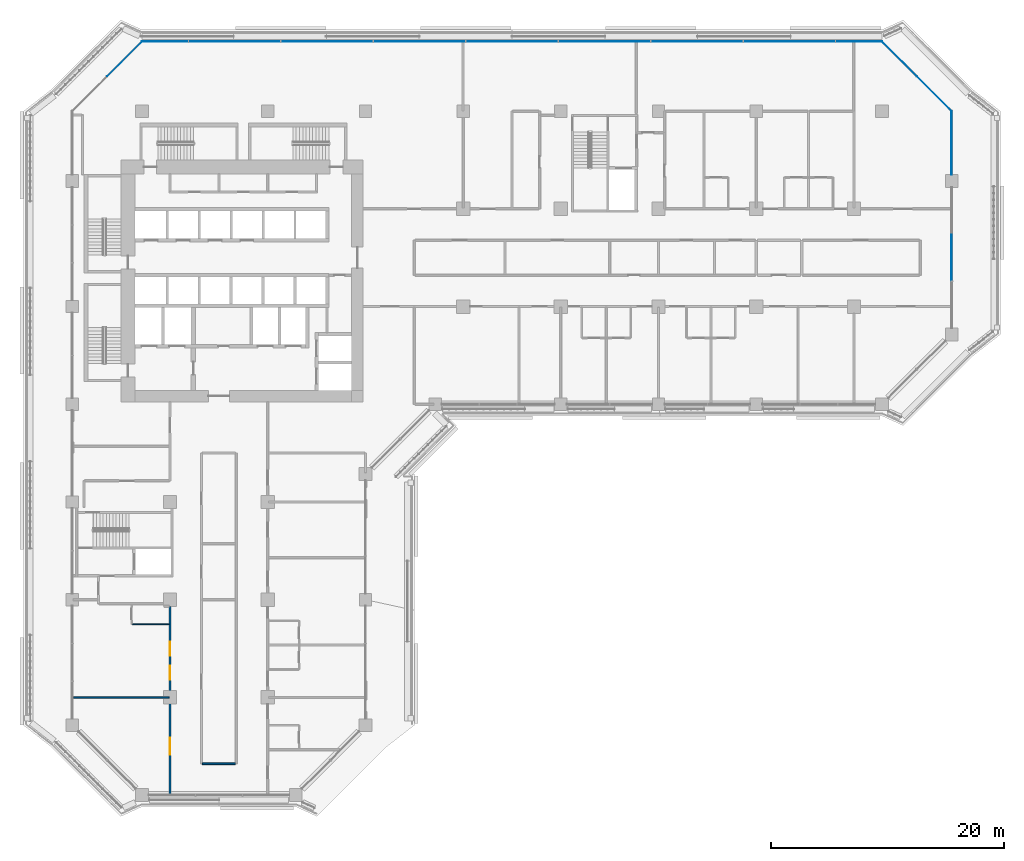
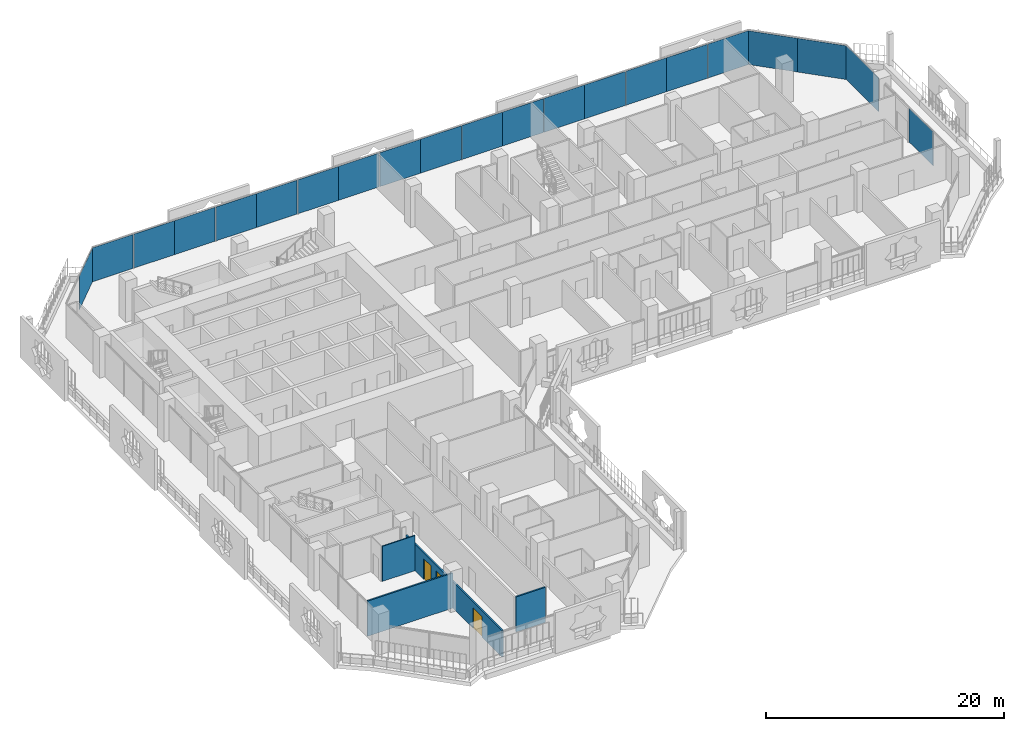
# One storey, part 11 of 25: 21 plates, 4 walls, 3 doors, 3 openings, 4 elements without a shape of their own.
"""IFC4 building model written with IfcOpenShell, lengths in metres."""

import ifcopenshell
import ifcopenshell.guid

model = None  # the IFC model being written
_history = None  # IfcOwnerHistory: only IFC2X3 demands one
_inside = {}  # id of a spatial element -> (the spatial element, [elements in it])
_under = {}  # id of a project, library or spatial element -> (it, [spatial elements below it])
_declared = {}  # id of a project -> (the project, [libraries it declares])
_typed = {}  # id of a type object -> (the type object, [elements of that type])
_made_of = {}  # id of a material, layer set ... -> (it, [elements and type objects made of it])


def new_model(schema):
    """Start an empty IFC model of exactly this schema.

    Asked for "IFC4X3", IfcOpenShell would pick the latest addendum, in which some entities
    have other attributes; the version numbers below select the first issue.
    IFC2X3 requires an IfcOwnerHistory on every rooted entity: one is made here for all.
    """
    global model, _history
    if schema == "IFC4X3":
        model = ifcopenshell.file(schema_version=(4, 3, 0, 0))
    else:
        model = ifcopenshell.file(schema=schema)
    _inside.clear()
    _under.clear()
    _declared.clear()
    _typed.clear()
    _made_of.clear()
    _history = None
    if model.schema == "IFC2X3":
        org = make("IfcOrganization", Name="unknown")
        user = make(
            "IfcPersonAndOrganization",
            ThePerson=make("IfcPerson", FamilyName="unknown"),
            TheOrganization=org,
        )
        app = make(
            "IfcApplication",
            ApplicationDeveloper=org,
            Version="unknown",
            ApplicationFullName="unknown",
            ApplicationIdentifier="unknown",
        )
        _history = make(
            "IfcOwnerHistory",
            OwningUser=user,
            OwningApplication=app,
            ChangeAction="ADDED",
            CreationDate=0,
        )
    return model


def make(cls, **values):
    """One entity of the class cls with the attributes given. An attribute that is None is left unset."""
    return model.create_entity(
        cls, **{name: value for name, value in values.items() if value is not None}
    )


def rooted(cls, **values):
    """An entity with a GlobalId (a new one), such as an element, a storey or a relation."""
    return make(cls, GlobalId=ifcopenshell.guid.new(), OwnerHistory=_history, **values)


def si_unit(unit_type, name, prefix=None):
    """IfcSIUnit, for example si_unit("LENGTHUNIT", "METRE", prefix="MILLI")."""
    return make("IfcSIUnit", UnitType=unit_type, Prefix=prefix, Name=name)


def assignment(units):
    """IfcUnitAssignment: the units of a project."""
    return None if units is None else make("IfcUnitAssignment", Units=units)


def point(xyz):
    """IfcCartesianPoint."""
    return None if xyz is None else make("IfcCartesianPoint", Coordinates=xyz)


def direction(xyz):
    """IfcDirection."""
    return None if xyz is None else make("IfcDirection", DirectionRatios=xyz)


def frame(location, z_axis=None, x_axis=None):
    """IfcAxis2Placement3D, a coordinate frame: its origin and axes. An axis left out is left unset."""
    return make(
        "IfcAxis2Placement3D",
        Location=point(location),
        Axis=direction(z_axis),
        RefDirection=direction(x_axis),
    )


def frame_2d(location, x_axis=None):
    """IfcAxis2Placement2D, a coordinate frame in the plane: its origin and x axis."""
    return make(
        "IfcAxis2Placement2D", Location=point(location), RefDirection=direction(x_axis)
    )


def origin():
    """The frame at (0, 0, 0) with its axes left unset."""
    return frame((0.0, 0.0, 0.0))


def origin_2d():
    """The frame at (0, 0) in the plane with its x axis left unset."""
    return frame_2d((0.0, 0.0))


def place(relative_to, where):
    """IfcLocalPlacement: puts the frame where relative to a parent placement (None: the world)."""
    return make(
        "IfcLocalPlacement", PlacementRelTo=relative_to, RelativePlacement=where
    )


def context(
    kind, dimensions, precision=None, world=None, true_north=None, identifier=None
):
    """IfcGeometricRepresentationContext, for example the 3D "Model" context."""
    return make(
        "IfcGeometricRepresentationContext",
        ContextIdentifier=identifier,
        ContextType=kind,
        CoordinateSpaceDimension=dimensions,
        Precision=precision,
        WorldCoordinateSystem=world,
        TrueNorth=true_north,
    )


def subcontext(parent, identifier, kind, view, scale=None):
    """IfcGeometricRepresentationSubContext, for example "Body" below "Model"."""
    return make(
        "IfcGeometricRepresentationSubContext",
        ContextIdentifier=identifier,
        ContextType=kind,
        ParentContext=parent,
        TargetScale=scale,
        TargetView=view,
    )


def project(units=None, contexts=None):
    """IfcProject with its units and contexts."""
    return rooted(
        "IfcProject",
        Name="project",
        RepresentationContexts=contexts,
        UnitsInContext=assignment(units),
    )


def spatial(cls, under=None, at=None, **own):
    """A site, building, storey or space (cls), placed at a placement, below another one or the project."""
    s = rooted(cls, ObjectPlacement=at, **own)
    if under is not None:
        _under.setdefault(under.id(), (under, []))[1].append(s)
    return s


def profile(cls, at=None, kind="AREA", **sizes):
    """A parametric profile (cls). Its sizes go by their IFC names, for example OverallWidth=200.0."""
    return make(cls, ProfileType=kind, Position=at, **sizes)


def rectangle(**sizes):
    """IfcRectangleProfileDef."""
    return profile("IfcRectangleProfileDef", **sizes)


def extrude(swept, where, along, depth):
    """IfcExtrudedAreaSolid: the profile swept, set in the frame where, extruded along a direction by depth."""
    return make(
        "IfcExtrudedAreaSolid",
        SweptArea=swept,
        Position=where,
        ExtrudedDirection=direction(along),
        Depth=depth,
    )


def shape(context_of_items, identifier, shape_type, items):
    """IfcShapeRepresentation: the items that make up one representation, for example the "Body"."""
    return make(
        "IfcShapeRepresentation",
        ContextOfItems=context_of_items,
        RepresentationIdentifier=identifier,
        RepresentationType=shape_type,
        Items=items,
    )


def material(Name=None, Category=None):
    """IfcMaterial."""
    return make("IfcMaterial", Name=Name, Category=Category)


def layer(
    of_material, thickness, ventilated=None, Name=None, Category=None, Priority=None
):
    """IfcMaterialLayer: one layer of a wall or slab, of a material (None: an air gap)."""
    return make(
        "IfcMaterialLayer",
        Material=of_material,
        LayerThickness=thickness,
        IsVentilated=ventilated,
        Name=Name,
        Category=Category,
        Priority=Priority,
    )


def layer_set(layers, Name=None):
    """IfcMaterialLayerSet."""
    return make("IfcMaterialLayerSet", MaterialLayers=layers, LayerSetName=Name)


def made_of(thing, what):
    """Note that an element or type object is made of a material, layer set ...; save() writes the relation."""
    if what is not None:
        _made_of.setdefault(what.id(), (what, []))[1].append(thing)
    return thing


def type_object(cls, material=None, **own):
    """A type object (cls), such as IfcWallType, which elements share."""
    return made_of(rooted(cls, **own), material)


def element(
    cls,
    number,
    at=None,
    inside=None,
    cuts=None,
    type_object=None,
    material=None,
    context=None,
    identifier="Body",
    shape_type=None,
    held_by="IfcProductDefinitionShape",
    body=None,
    shapes=None,
    **own,
):
    """One element of the class cls, such as IfcWall. Its Tag is "e" and its number.

    at: its placement. inside: the storey or other place that contains it. cuts: it is an
    opening in that element (IfcRelVoidsElement). A single representation is given by context,
    identifier, shape_type and body (its items); several are given by shapes. held_by: the class
    of the entity that holds the representations. save() writes the other relations.
    """
    e = rooted(cls, Tag="e%d" % number, ObjectPlacement=at, **own)
    if body is not None:
        shapes = [shape(context, identifier, shape_type, body)]
    if shapes is not None:
        e.Representation = make(held_by, Representations=shapes)
    if inside is not None:
        _inside.setdefault(inside.id(), (inside, []))[1].append(e)
    if cuts is not None:
        rooted(
            "IfcRelVoidsElement", RelatingBuildingElement=cuts, RelatedOpeningElement=e
        )
    if type_object is not None:
        _typed.setdefault(type_object.id(), (type_object, []))[1].append(e)
    return made_of(e, material)


def fill(opening, filler):
    """IfcRelFillsElement: the door or window that sits in an opening."""
    return rooted(
        "IfcRelFillsElement",
        RelatingOpeningElement=opening,
        RelatedBuildingElement=filler,
    )


def aggregate(whole, parts):
    """IfcRelAggregates: a whole, such as a stair, and the parts it consists of."""
    return rooted("IfcRelAggregates", RelatingObject=whole, RelatedObjects=parts)


def save(model, path):
    """Write the relations noted so far, then the file.

    IfcRelAggregates (storeys below a building ...), IfcRelContainedInSpatialStructure (elements
    in a storey), IfcRelDefinesByType, IfcRelAssociatesMaterial and IfcRelDeclares: one each for
    every whole, place, type object, material and project.
    """
    for whole, parts in _under.values():
        aggregate(whole, parts)
    for where, things in _inside.values():
        rooted(
            "IfcRelContainedInSpatialStructure",
            RelatedElements=things,
            RelatingStructure=where,
        )
    for kind, things in _typed.values():
        rooted("IfcRelDefinesByType", RelatedObjects=things, RelatingType=kind)
    for what, things in _made_of.values():
        rooted("IfcRelAssociatesMaterial", RelatedObjects=things, RelatingMaterial=what)
    for by, libraries in _declared.values():
        rooted("IfcRelDeclares", RelatingContext=by, RelatedDefinitions=libraries)
    model.write(path)


model = new_model("IFC4")

# Units and contexts
model_context = context("Model", 3, precision=1e-05, world=origin(), true_north=direction((0.0, 1.0)))
body_context = subcontext(model_context, "Body", "Model", "MODEL_VIEW")
ifc_project = project(units=[si_unit("LENGTHUNIT", "METRE"), si_unit("AREAUNIT", "SQUARE_METRE"), si_unit("VOLUMEUNIT", "CUBIC_METRE"), si_unit("PLANEANGLEUNIT", "RADIAN"), si_unit("MASSUNIT", "GRAM", prefix="KILO")], contexts=[model_context])

# Site, building, storey
site_placement = place(None, origin())
site = spatial("IfcSite", under=ifc_project, at=site_placement, CompositionType="ELEMENT")
building_placement = place(site_placement, origin())
building = spatial("IfcBuilding", under=site, at=building_placement, Name="Kawkab Arch Medical Tower", CompositionType="ELEMENT")
storey_placement = place(building_placement, frame((0.0, 0.0, 145.0)))
storey = spatial("IfcBuildingStorey", under=building, at=storey_placement, Name="L33", CompositionType="ELEMENT", Elevation=145.0)

# Curtain wall, plates
ifc_material_1 = material(Name="Bronze anodised aluminium curtain wall frame", Category="aluminium")
ifc_layer_1 = layer(ifc_material_1, 0.159912109375)
ifc_layer_set_1 = layer_set([ifc_layer_1], Name="Bronze anodised aluminium curtain wall frame")
curtain_wall_type_1 = type_object("IfcCurtainWallType", Name="CW1 ward curtain wall", PredefinedType="NOTDEFINED", material=ifc_layer_set_1)
placement = place(storey_placement, origin())
curtain_wall_1 = element("IfcCurtainWall", 1, at=placement, inside=storey, type_object=curtain_wall_type_1, Name="CW1 Ward curtain wall R09", PredefinedType="NOTDEFINED")
ifc_material_2 = material(Name="Tinted insulating glass, bronze low-e coating", Category="glass")
ifc_layer_2 = layer(ifc_material_2, 0.031982421875)
ifc_layer_set_2 = layer_set([ifc_layer_2], Name="Tinted insulating glass, bronze low-e coating")
plate_type_1 = type_object("IfcPlateType", Name="CW1 glazing unit 32", PredefinedType="CURTAIN_PANEL", material=ifc_layer_set_2)
plate_1_placement = place(storey_placement, frame((75.60009765625, -12.5849609375, 0.0), z_axis=(0.0, 0.0, 1.0), x_axis=(0.0, 1.0, 0.0)))
plate_1 = element("IfcPlate", 2, at=plate_1_placement, type_object=plate_type_1, Name="CW1 glazing unit 1.2", PredefinedType="CURTAIN_PANEL", context=body_context, shape_type="SweptSolid", body=[
    extrude(rectangle(XDim=4.00341796875, YDim=0.031982421875, at=origin_2d()), origin(), (0.0, 0.0, 1.0), 3.47998046875),
])
plate_2_placement = place(storey_placement, frame((75.60009765625, -2.72509765625, 0.0), z_axis=(0.0, 0.0, 1.0), x_axis=(0.0, 1.0, 0.0)))
plate_2 = element("IfcPlate", 3, at=plate_2_placement, type_object=plate_type_1, Name="CW1 glazing unit 2.1", PredefinedType="CURTAIN_PANEL", context=body_context, shape_type="SweptSolid", body=[
    extrude(rectangle(XDim=5.449951171875, YDim=0.031982421875, at=origin_2d()), origin(), (0.0, 0.0, 1.0), 3.47998046875),
])
aggregate(curtain_wall_1, [plate_1, plate_2])

curtain_wall_2 = element("IfcCurtainWall", 4, at=placement, inside=storey, type_object=curtain_wall_type_1, Name="CW1 Ward curtain wall R11", PredefinedType="NOTDEFINED")
plate_3_placement = place(storey_placement, frame((67.62744140625, 6.0, 0.0), z_axis=(0.0, 0.0, 1.0), x_axis=(-1.0, 0.0, 0.0)))
plate_3 = element("IfcPlate", 5, at=plate_3_placement, type_object=plate_type_1, Name="CW1 glazing unit 1.1", PredefinedType="CURTAIN_PANEL", context=body_context, shape_type="SweptSolid", body=[
    extrude(rectangle(XDim=3.945068359375, YDim=0.031982421875, at=origin_2d()), origin(), (0.0, 0.0, 1.0), 3.47998046875),
])
plate_4_placement = place(storey_placement, frame((63.62255859375, 6.0, 0.0), z_axis=(0.0, 0.0, 1.0), x_axis=(-1.0, 0.0, 0.0)))
plate_4 = element("IfcPlate", 6, at=plate_4_placement, type_object=plate_type_1, Name="CW1 glazing unit 1.2", PredefinedType="CURTAIN_PANEL", context=body_context, shape_type="SweptSolid", body=[
    extrude(rectangle(XDim=3.945068359375, YDim=0.031982421875, at=origin_2d()), origin(), (0.0, 0.0, 1.0), 3.47998046875),
])
plate_5_placement = place(storey_placement, frame((59.677490234375, 6.0, 0.0), z_axis=(0.0, 0.0, 1.0), x_axis=(-1.0, 0.0, 0.0)))
plate_5 = element("IfcPlate", 7, at=plate_5_placement, type_object=plate_type_1, Name="CW1 glazing unit 2.1", PredefinedType="CURTAIN_PANEL", context=body_context, shape_type="SweptSolid", body=[
    extrude(rectangle(XDim=3.945068359375, YDim=0.031982421875, at=origin_2d()), origin(), (0.0, 0.0, 1.0), 3.47998046875),
])
plate_6_placement = place(storey_placement, frame((55.672607421875, 6.0, 0.0), z_axis=(0.0, 0.0, 1.0), x_axis=(-1.0, 0.0, 0.0)))
plate_6 = element("IfcPlate", 8, at=plate_6_placement, type_object=plate_type_1, Name="CW1 glazing unit 2.2", PredefinedType="CURTAIN_PANEL", context=body_context, shape_type="SweptSolid", body=[
    extrude(rectangle(XDim=3.945068359375, YDim=0.031982421875, at=origin_2d()), origin(), (0.0, 0.0, 1.0), 3.47998046875),
])
plate_7_placement = place(storey_placement, frame((51.7275390625, 6.0, 0.0), z_axis=(0.0, 0.0, 1.0), x_axis=(-1.0, 0.0, 0.0)))
plate_7 = element("IfcPlate", 9, at=plate_7_placement, type_object=plate_type_1, Name="CW1 glazing unit 3.1", PredefinedType="CURTAIN_PANEL", context=body_context, shape_type="SweptSolid", body=[
    extrude(rectangle(XDim=3.945068359375, YDim=0.031982421875, at=origin_2d()), origin(), (0.0, 0.0, 1.0), 3.47998046875),
])
plate_8_placement = place(storey_placement, frame((47.722412109375, 6.0, 0.0), z_axis=(0.0, 0.0, 1.0), x_axis=(-1.0, 0.0, 0.0)))
plate_8 = element("IfcPlate", 10, at=plate_8_placement, type_object=plate_type_1, Name="CW1 glazing unit 3.2", PredefinedType="CURTAIN_PANEL", context=body_context, shape_type="SweptSolid", body=[
    extrude(rectangle(XDim=3.945068359375, YDim=0.031982421875, at=origin_2d()), origin(), (0.0, 0.0, 1.0), 3.47998046875),
])
plate_9_placement = place(storey_placement, frame((43.777587890625, 6.0, 0.0), z_axis=(0.0, 0.0, 1.0), x_axis=(-1.0, 0.0, 0.0)))
plate_9 = element("IfcPlate", 11, at=plate_9_placement, type_object=plate_type_1, Name="CW1 glazing unit 4.1", PredefinedType="CURTAIN_PANEL", context=body_context, shape_type="SweptSolid", body=[
    extrude(rectangle(XDim=3.945068359375, YDim=0.031982421875, at=origin_2d()), origin(), (0.0, 0.0, 1.0), 3.47998046875),
])
plate_10_placement = place(storey_placement, frame((39.7724609375, 6.0, 0.0), z_axis=(0.0, 0.0, 1.0), x_axis=(-1.0, 0.0, 0.0)))
plate_10 = element("IfcPlate", 12, at=plate_10_placement, type_object=plate_type_1, Name="CW1 glazing unit 4.2", PredefinedType="CURTAIN_PANEL", context=body_context, shape_type="SweptSolid", body=[
    extrude(rectangle(XDim=3.945068359375, YDim=0.031982421875, at=origin_2d()), origin(), (0.0, 0.0, 1.0), 3.47998046875),
])
plate_11_placement = place(storey_placement, frame((35.827392578125, 6.0, 0.0), z_axis=(0.0, 0.0, 1.0), x_axis=(-1.0, 0.0, 0.0)))
plate_11 = element("IfcPlate", 13, at=plate_11_placement, type_object=plate_type_1, Name="CW1 glazing unit 5.1", PredefinedType="CURTAIN_PANEL", context=body_context, shape_type="SweptSolid", body=[
    extrude(rectangle(XDim=3.945068359375, YDim=0.031982421875, at=origin_2d()), origin(), (0.0, 0.0, 1.0), 3.47998046875),
])
plate_12_placement = place(storey_placement, frame((31.822509765625, 6.0, 0.0), z_axis=(0.0, 0.0, 1.0), x_axis=(-1.0, 0.0, 0.0)))
plate_12 = element("IfcPlate", 14, at=plate_12_placement, type_object=plate_type_1, Name="CW1 glazing unit 5.2", PredefinedType="CURTAIN_PANEL", context=body_context, shape_type="SweptSolid", body=[
    extrude(rectangle(XDim=3.945068359375, YDim=0.031982421875, at=origin_2d()), origin(), (0.0, 0.0, 1.0), 3.47998046875),
])
plate_13_placement = place(storey_placement, frame((27.87744140625, 6.0, 0.0), z_axis=(0.0, 0.0, 1.0), x_axis=(-1.0, 0.0, 0.0)))
plate_13 = element("IfcPlate", 15, at=plate_13_placement, type_object=plate_type_1, Name="CW1 glazing unit 6.1", PredefinedType="CURTAIN_PANEL", context=body_context, shape_type="SweptSolid", body=[
    extrude(rectangle(XDim=3.945068359375, YDim=0.031982421875, at=origin_2d()), origin(), (0.0, 0.0, 1.0), 3.47998046875),
])
plate_14_placement = place(storey_placement, frame((23.87255859375, 6.0, 0.0), z_axis=(0.0, 0.0, 1.0), x_axis=(-1.0, 0.0, 0.0)))
plate_14 = element("IfcPlate", 16, at=plate_14_placement, type_object=plate_type_1, Name="CW1 glazing unit 6.2", PredefinedType="CURTAIN_PANEL", context=body_context, shape_type="SweptSolid", body=[
    extrude(rectangle(XDim=3.945068359375, YDim=0.031982421875, at=origin_2d()), origin(), (0.0, 0.0, 1.0), 3.47998046875),
])
plate_15_placement = place(storey_placement, frame((19.927490234375, 6.0, 0.0), z_axis=(0.0, 0.0, 1.0), x_axis=(-1.0, 0.0, 0.0)))
plate_15 = element("IfcPlate", 17, at=plate_15_placement, type_object=plate_type_1, Name="CW1 glazing unit 7.1", PredefinedType="CURTAIN_PANEL", context=body_context, shape_type="SweptSolid", body=[
    extrude(rectangle(XDim=3.945068359375, YDim=0.031982421875, at=origin_2d()), origin(), (0.0, 0.0, 1.0), 3.47998046875),
])
plate_16_placement = place(storey_placement, frame((15.922607421875, 6.0, 0.0), z_axis=(0.0, 0.0, 1.0), x_axis=(-1.0, 0.0, 0.0)))
plate_16 = element("IfcPlate", 18, at=plate_16_placement, type_object=plate_type_1, Name="CW1 glazing unit 7.2", PredefinedType="CURTAIN_PANEL", context=body_context, shape_type="SweptSolid", body=[
    extrude(rectangle(XDim=3.945068359375, YDim=0.031982421875, at=origin_2d()), origin(), (0.0, 0.0, 1.0), 3.47998046875),
])
plate_17_placement = place(storey_placement, frame((11.9775390625, 6.0, 0.0), z_axis=(0.0, 0.0, 1.0), x_axis=(-1.0, 0.0, 0.0)))
plate_17 = element("IfcPlate", 19, at=plate_17_placement, type_object=plate_type_1, Name="CW1 glazing unit 8.1", PredefinedType="CURTAIN_PANEL", context=body_context, shape_type="SweptSolid", body=[
    extrude(rectangle(XDim=3.945068359375, YDim=0.031982421875, at=origin_2d()), origin(), (0.0, 0.0, 1.0), 3.47998046875),
])
plate_18_placement = place(storey_placement, frame((7.972412109375, 6.0, 0.0), z_axis=(0.0, 0.0, 1.0), x_axis=(-1.0, 0.0, 0.0)))
plate_18 = element("IfcPlate", 20, at=plate_18_placement, type_object=plate_type_1, Name="CW1 glazing unit 8.2", PredefinedType="CURTAIN_PANEL", context=body_context, shape_type="SweptSolid", body=[
    extrude(rectangle(XDim=3.945068359375, YDim=0.031982421875, at=origin_2d()), origin(), (0.0, 0.0, 1.0), 3.47998046875),
])
aggregate(curtain_wall_2, [plate_3, plate_4, plate_5, plate_6, plate_7, plate_8, plate_9, plate_10, plate_11, plate_12, plate_13, plate_14, plate_15, plate_16, plate_17, plate_18])

ifc_material_3 = material(Name="Bronze anodised aluminium curtain wall frame", Category="aluminium")
ifc_layer_3 = layer(ifc_material_3, 0.159912109375)
ifc_layer_set_3 = layer_set([ifc_layer_3], Name="Bronze anodised aluminium curtain wall frame")
curtain_wall_type_2 = type_object("IfcCurtainWallType", Name="CW2 chamfer curtain wall", PredefinedType="NOTDEFINED", material=ifc_layer_set_3)
curtain_wall_3 = element("IfcCurtainWall", 21, at=placement, inside=storey, type_object=curtain_wall_type_2, Name="CW2 Chamfer curtain wall R10", PredefinedType="NOTDEFINED")
ifc_material_4 = material(Name="Tinted insulating glass, bronze low-e coating", Category="glass")
ifc_layer_4 = layer(ifc_material_4, 0.031982421875)
ifc_layer_set_4 = layer_set([ifc_layer_4], Name="Tinted insulating glass, bronze low-e coating")
plate_type_2 = type_object("IfcPlateType", Name="CW2 glazing unit 32", PredefinedType="CURTAIN_PANEL", material=ifc_layer_set_4)
plate_19_placement = place(storey_placement, frame((74.10009765625, 1.5, 0.0), z_axis=(0.0, 0.0, 1.0), x_axis=(-0.707106781187, 0.707106781187, 0.0)))
plate_19 = element("IfcPlate", 22, at=plate_19_placement, type_object=plate_type_2, Name="CW2 glazing unit 1.1", PredefinedType="CURTAIN_PANEL", context=body_context, shape_type="SweptSolid", body=[
    extrude(rectangle(XDim=4.24267578125, YDim=0.031982421875, at=origin_2d()), origin(), (0.0, 0.0, 1.0), 3.4599609375),
])
plate_20_placement = place(storey_placement, frame((71.10009765625, 4.5, 0.0), z_axis=(0.0, 0.0, 1.0), x_axis=(-0.707106781187, 0.707106781187, 0.0)))
plate_20 = element("IfcPlate", 23, at=plate_20_placement, type_object=plate_type_2, Name="CW2 glazing unit 2.1", PredefinedType="CURTAIN_PANEL", context=body_context, shape_type="SweptSolid", body=[
    extrude(rectangle(XDim=4.24267578125, YDim=0.031982421875, at=origin_2d()), origin(), (0.0, 0.0, 1.0), 3.4599609375),
])
aggregate(curtain_wall_3, [plate_19, plate_20])

# Curtain wall, plate
curtain_wall_4 = element("IfcCurtainWall", 24, at=placement, inside=storey, type_object=curtain_wall_type_2, Name="CW2 Chamfer curtain wall R12", PredefinedType="NOTDEFINED")
plate_21_placement = place(storey_placement, frame((4.5, 4.5, 0.0), z_axis=(0.0, 0.0, 1.0), x_axis=(-0.707106781187, -0.707106781187, 0.0)))
plate_21 = element("IfcPlate", 25, at=plate_21_placement, type_object=plate_type_2, Name="CW2 glazing unit 1.1", PredefinedType="CURTAIN_PANEL", context=body_context, shape_type="SweptSolid", body=[
    extrude(rectangle(XDim=4.24267578125, YDim=0.031982421875, at=origin_2d()), origin(), (0.0, 0.0, 1.0), 3.4599609375),
])
aggregate(curtain_wall_4, [plate_21])

# Walls
ifc_material_5 = material(Name="Gypsum board partition on steel studs", Category="steel")
ifc_layer_5 = layer(ifc_material_5, 0.10009765625)
ifc_layer_set_5 = layer_set([ifc_layer_5], Name="Gypsum board partition on steel studs")
wall_type_1 = type_object("IfcWallType", Name="Partition 100", PredefinedType="PARTITIONING", material=ifc_layer_set_5)
wall_1_placement = place(storey_placement, frame((5.14990234375, -44.10009765625, 0.0), z_axis=(0.0, 0.0, 1.0), x_axis=(1.0, 0.0, 0.0)))
element("IfcWall", 26, at=wall_1_placement, inside=storey, type_object=wall_type_1, Name="Partition 100 w003", PredefinedType="PARTITIONING", context=body_context, shape_type="SweptSolid", body=[
    extrude(rectangle(XDim=3.175048828125, YDim=0.10009765625, at=frame_2d((1.58740234375, 0.0))), origin(), (0.0, 0.0, 1.0), 3.60009765625),
])
ifc_material_6 = material(Name="Gypsum board partition on steel studs, mineral wool", Category="steel")
ifc_layer_6 = layer(ifc_material_6, 0.14990234375)
ifc_layer_set_6 = layer_set([ifc_layer_6], Name="Gypsum board partition on steel studs, mineral wool")
wall_type_2 = type_object("IfcWallType", Name="Partition 150", PredefinedType="PARTITIONING", material=ifc_layer_set_6)
wall_2_placement = place(storey_placement, frame((11.175048828125, -56.10009765625, 0.0), z_axis=(0.0, 0.0, 1.0), x_axis=(1.0, 0.0, 0.0)))
element("IfcWall", 27, at=wall_2_placement, inside=storey, type_object=wall_type_2, Name="Partition 150 w019", PredefinedType="PARTITIONING", context=body_context, shape_type="SweptSolid", body=[
    extrude(rectangle(XDim=2.849853515625, YDim=0.14990234375, at=frame_2d((1.4248046875, 0.0))), origin(), (0.0, 0.0, 1.0), 3.60009765625),
])
wall_3_placement = place(storey_placement, frame((0.080078125, -50.39990234375, 0.0), z_axis=(0.0, 0.0, 1.0), x_axis=(1.0, 0.0, 0.0)))
element("IfcWall", 28, at=wall_3_placement, inside=storey, type_object=wall_type_2, Name="Partition 150 w021", PredefinedType="PARTITIONING", context=body_context, shape_type="SweptSolid", body=[
    extrude(rectangle(XDim=8.244873046875, YDim=0.14990234375, at=frame_2d((4.12255859375, 0.0))), origin(), (0.0, 0.0, 1.0), 3.60009765625),
])

# Wall, openings, doors
wall_4_placement = place(storey_placement, frame((8.39990234375, -58.719970703125, 0.0), z_axis=(0.0, 0.0, 1.0), x_axis=(0.0, 1.0, 0.0)))
wall_4 = element("IfcWall", 29, at=wall_4_placement, inside=storey, type_object=wall_type_2, Name="Partition 150 w055", PredefinedType="PARTITIONING", context=body_context, shape_type="SweptSolid", body=[
    extrude(rectangle(XDim=16.14501953125, YDim=0.14990234375, at=frame_2d((8.072509765625, 0.0))), origin(), (0.0, 0.0, 1.0), 2.699951171875),
])
opening_1_placement = place(wall_4_placement, frame((9.820068359375, 0.0, 0.0)))
opening_1 = element("IfcOpeningElement", 30, at=opening_1_placement, cuts=wall_4, Name="Opening W28-045", PredefinedType="OPENING", context=body_context, shape_type="SweptSolid", body=[
    extrude(rectangle(XDim=1.199951171875, YDim=2.10009765625, at=frame_2d((0.60009765625, 1.050048828125))), frame((0.0, 0.0849609375, 0.0), z_axis=(0.0, -1.0, 0.0), x_axis=(1.0, 0.0, 0.0)), (0.0, 0.0, 1.0), 0.169921875),
])
opening_2_placement = place(wall_4_placement, frame((11.919921875, 0.0, 0.0)))
opening_2 = element("IfcOpeningElement", 31, at=opening_2_placement, cuts=wall_4, Name="Opening W28-046", PredefinedType="OPENING", context=body_context, shape_type="SweptSolid", body=[
    extrude(rectangle(XDim=1.199951171875, YDim=2.10009765625, at=frame_2d((0.60009765625, 1.050048828125))), frame((0.0, 0.0849609375, 0.0), z_axis=(0.0, -1.0, 0.0), x_axis=(1.0, 0.0, 0.0)), (0.0, 0.0, 1.0), 0.169921875),
])
opening_3_placement = place(wall_4_placement, frame((3.3701171875, 0.0, 0.0)))
opening_3 = element("IfcOpeningElement", 32, at=opening_3_placement, cuts=wall_4, Name="Opening W28-004", PredefinedType="OPENING", context=body_context, shape_type="SweptSolid", body=[
    extrude(rectangle(XDim=1.5, YDim=2.10009765625, at=frame_2d((0.75, 1.050048828125))), frame((0.0, 0.0849609375, 0.0), z_axis=(0.0, -1.0, 0.0), x_axis=(1.0, 0.0, 0.0)), (0.0, 0.0, 1.0), 0.169921875),
])
ifc_material_7 = material(Name="Hollow metal door leaf")
door_type_1 = type_object("IfcDoorType", Name="Double door 1500x2100 FD30S", OperationType="NOTDEFINED", PredefinedType="DOOR", material=ifc_material_7)
door_1_placement = place(opening_3_placement, origin())
door_1 = element("IfcDoor", 33, at=door_1_placement, inside=storey, type_object=door_type_1, Name="Door W28-004", OperationType="DOUBLE_DOOR_SINGLE_SWING", OverallHeight=2.10009765625, OverallWidth=1.5, PredefinedType="DOOR", context=body_context, shape_type="SweptSolid", body=[
    extrude(rectangle(XDim=1.5, YDim=2.10009765625, at=frame_2d((0.75, 1.050048828125))), frame((0.0, 0.02490234375, 0.0), z_axis=(0.0, -1.0, 0.0), x_axis=(1.0, 0.0, 0.0)), (0.0, 0.0, 1.0), 0.050048828125),
])
fill(opening_3, door_1)
ifc_material_8 = material(Name="Hollow metal door leaf")
door_type_2 = type_object("IfcDoorType", Name="Single door 1200x2100 FD30S", OperationType="NOTDEFINED", PredefinedType="DOOR", material=ifc_material_8)
door_2_placement = place(opening_1_placement, origin())
door_2 = element("IfcDoor", 34, at=door_2_placement, inside=storey, type_object=door_type_2, Name="Door W28-045", OperationType="SINGLE_SWING_RIGHT", OverallHeight=2.10009765625, OverallWidth=1.199951171875, PredefinedType="DOOR", context=body_context, shape_type="SweptSolid", body=[
    extrude(rectangle(XDim=1.199951171875, YDim=2.10009765625, at=frame_2d((0.60009765625, 1.050048828125))), frame((0.0, 0.02490234375, 0.0), z_axis=(0.0, -1.0, 0.0), x_axis=(1.0, 0.0, 0.0)), (0.0, 0.0, 1.0), 0.050048828125),
])
fill(opening_1, door_2)
door_3_placement = place(opening_2_placement, origin())
door_3 = element("IfcDoor", 35, at=door_3_placement, inside=storey, type_object=door_type_2, Name="Door W28-046", OperationType="SINGLE_SWING_RIGHT", OverallHeight=2.10009765625, OverallWidth=1.199951171875, PredefinedType="DOOR", context=body_context, shape_type="SweptSolid", body=[
    extrude(rectangle(XDim=1.199951171875, YDim=2.10009765625, at=frame_2d((0.60009765625, 1.050048828125))), frame((0.0, 0.02490234375, 0.0), z_axis=(0.0, -1.0, 0.0), x_axis=(1.0, 0.0, 0.0)), (0.0, 0.0, 1.0), 0.050048828125),
])
fill(opening_2, door_3)

save(model, "model.ifc")
